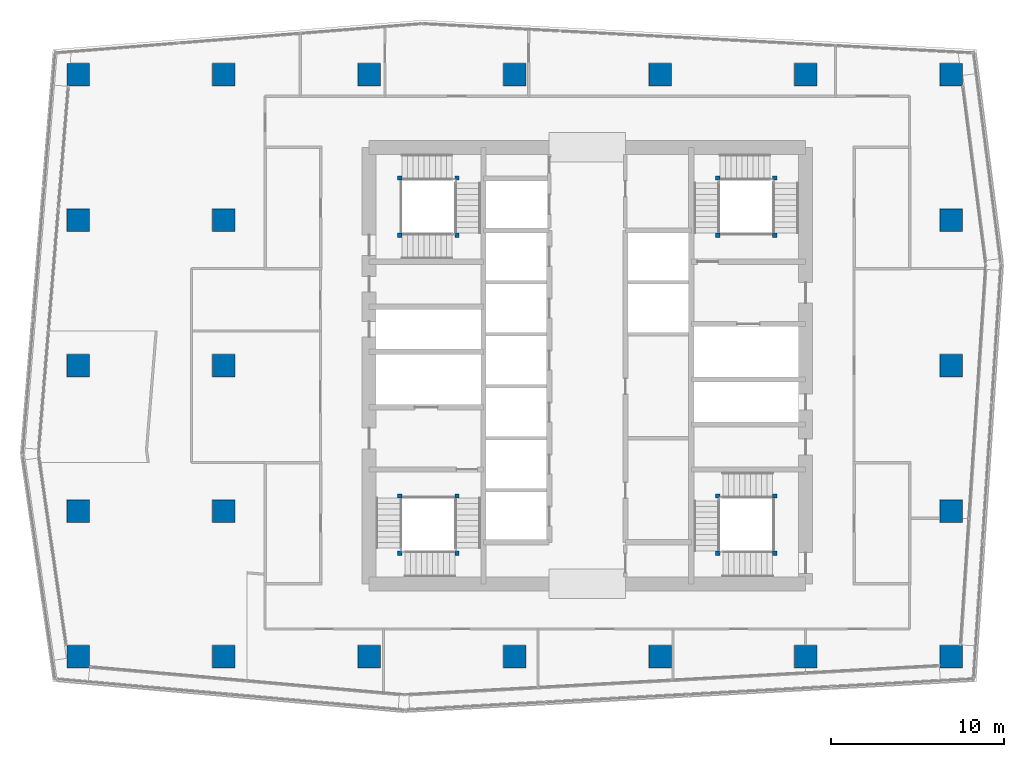
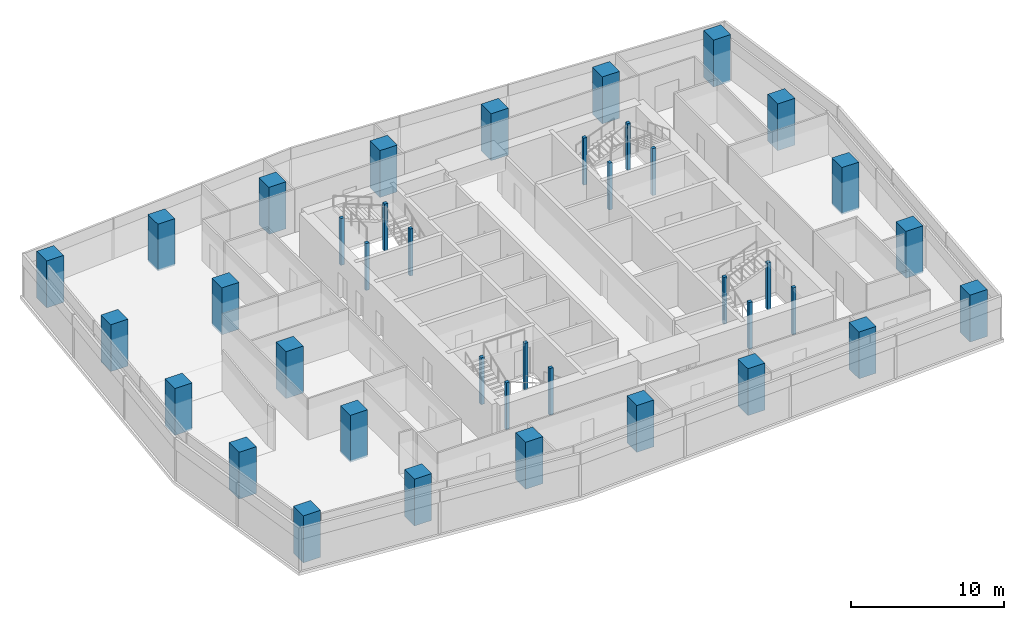
# One storey, part 1 of 30: 39 columns.
"""IFC4 building model written with IfcOpenShell, lengths in metres."""

from ifc_helpers import new_model, si_unit, direction, frame, origin, origin_2d, place, context, subcontext, project, spatial, rectangle, extrude, material, material_profile, profile_set, type_object, element, save


model = new_model("IFC4")

# Units and contexts
model_context = context("Model", 3, precision=1e-05, world=origin(), true_north=direction((0.0, 1.0)))
body_context = subcontext(model_context, "Body", "Model", "MODEL_VIEW")
ifc_project = project(units=[si_unit("LENGTHUNIT", "METRE"), si_unit("AREAUNIT", "SQUARE_METRE"), si_unit("VOLUMEUNIT", "CUBIC_METRE"), si_unit("PLANEANGLEUNIT", "RADIAN"), si_unit("MASSUNIT", "GRAM", prefix="KILO")], contexts=[model_context])

# Site, building, storey
site_placement = place(None, origin())
site = spatial("IfcSite", under=ifc_project, at=site_placement, CompositionType="ELEMENT")
building_placement = place(site_placement, origin())
building = spatial("IfcBuilding", under=site, at=building_placement, Name="Rekha Terrace Tower", CompositionType="ELEMENT")
storey_placement = place(building_placement, frame((0.0, 0.0, 287.60009765625)))
storey = spatial("IfcBuildingStorey", under=building, at=storey_placement, Name="L73", CompositionType="ELEMENT", Elevation=287.60009765625)

# Columns
ifc_material_1 = material(Name="Concrete M70", Category="concrete")
ifc_material_profile_1 = material_profile(ifc_material_1, rectangle(XDim=1.300048828125, YDim=1.300048828125, at=origin_2d()), Name="RC 1300x1300")
ifc_profile_set_1 = profile_set([ifc_material_profile_1], Name="Concrete M70")
column_type_1 = type_object("IfcColumnType", Name="C5C 1300x1300 column", PredefinedType="COLUMN", material=ifc_profile_set_1)
for number, where, z_axis, x_axis, name in (
    (1, (8.39990234375, 16.800048828125, 0.0), (0.0, 0.0, 1.0), (1.0, 0.0, 0.0), "Column C5C 2/C L73"),
    (2, (8.39990234375, 25.199951171875, 0.0), (0.0, 0.0, 1.0), (1.0, 0.0, 0.0), "Column C5C 2/D L73"),
    (3, (8.39990234375, 33.60009765625, 0.0), (0.0, 0.0, 1.0), (1.0, 0.0, 0.0), "Column C5C 2/E L73"),
    (4, (8.39990234375, 42.0, 0.0), (0.0, 0.0, 1.0), (1.0, 0.0, 0.0), "Column C5C 2/F L73"),
    (5, (8.39990234375, 50.39990234375, 0.0), (0.0, 0.0, 1.0), (1.0, 0.0, 0.0), "Column C5C 2/G L73"),
    (6, (16.800048828125, 16.800048828125, 0.0), (0.0, 0.0, 1.0), (1.0, 0.0, 0.0), "Column C5C 3/C L73"),
    (7, (16.800048828125, 25.199951171875, 0.0), (0.0, 0.0, 1.0), (1.0, 0.0, 0.0), "Column C5C 3/D L73"),
    (8, (16.800048828125, 33.60009765625, 0.0), (0.0, 0.0, 1.0), (1.0, 0.0, 0.0), "Column C5C 3/E L73"),
    (9, (16.800048828125, 42.0, 0.0), (0.0, 0.0, 1.0), (1.0, 0.0, 0.0), "Column C5C 3/F L73"),
    (10, (16.800048828125, 50.39990234375, 0.0), (0.0, 0.0, 1.0), (1.0, 0.0, 0.0), "Column C5C 3/G L73"),
    (11, (25.199951171875, 16.800048828125, 0.0), (0.0, 0.0, 1.0), (1.0, 0.0, 0.0), "Column C5C 4/C L73"),
    (12, (25.199951171875, 50.39990234375, 0.0), (0.0, 0.0, 1.0), (1.0, 0.0, 0.0), "Column C5C 4/G L73"),
    (13, (33.60009765625, 16.800048828125, 0.0), (0.0, 0.0, 1.0), (1.0, 0.0, 0.0), "Column C5C 5/C L73"),
    (14, (33.60009765625, 50.39990234375, 0.0), (0.0, 0.0, 1.0), (1.0, 0.0, 0.0), "Column C5C 5/G L73"),
    (15, (42.0, 16.800048828125, 0.0), (0.0, 0.0, 1.0), (1.0, 0.0, 0.0), "Column C5C 6/C L73"),
    (16, (42.0, 50.39990234375, 0.0), (0.0, 0.0, 1.0), (1.0, 0.0, 0.0), "Column C5C 6/G L73"),
    (17, (50.39990234375, 16.800048828125, 0.0), (0.0, 0.0, 1.0), (1.0, 0.0, 0.0), "Column C5C 7/C L73"),
    (18, (50.39990234375, 50.39990234375, 0.0), (0.0, 0.0, 1.0), (1.0, 0.0, 0.0), "Column C5C 7/G L73"),
    (19, (58.800048828125, 16.800048828125, 0.0), (0.0, 0.0, 1.0), (1.0, 0.0, 0.0), "Column C5C 8/C L73"),
    (20, (58.800048828125, 25.199951171875, 0.0), (0.0, 0.0, 1.0), (1.0, 0.0, 0.0), "Column C5C 8/D L73"),
    (21, (58.800048828125, 33.60009765625, 0.0), (0.0, 0.0, 1.0), (1.0, 0.0, 0.0), "Column C5C 8/E L73"),
    (22, (58.800048828125, 42.0, 0.0), (0.0, 0.0, 1.0), (1.0, 0.0, 0.0), "Column C5C 8/F L73"),
    (23, (58.800048828125, 50.39990234375, 0.0), (0.0, 0.0, 1.0), (1.0, 0.0, 0.0), "Column C5C 8/G L73"),
):
    element("IfcColumn", number, at=place(storey_placement, frame(where, z_axis=z_axis, x_axis=x_axis)), inside=storey, type_object=column_type_1, Name=name, PredefinedType="COLUMN", context=body_context, shape_type="SweptSolid", body=[
        extrude(rectangle(XDim=1.300048828125, YDim=1.300048828125, at=origin_2d()), origin(), (0.0, 0.0, 1.0), 3.75),
    ])
ifc_material_2 = material(Name="Concrete M60", Category="concrete")
ifc_material_profile_2 = material_profile(ifc_material_2, rectangle(XDim=0.25, YDim=0.25, at=origin_2d()), Name="RC 250x250")
ifc_profile_set_2 = profile_set([ifc_material_profile_2], Name="Concrete M60")
column_type_2 = type_object("IfcColumnType", Name="NP1 250x250 stair newel post", PredefinedType="COLUMN", material=ifc_profile_set_2)
for number, where, z_axis, x_axis, name in (
    (24, (30.27490234375, 26.074951171875, 0.0), (0.0, 0.0, 1.0), (1.0, 0.0, 0.0), "Stair newel post NP1"),
    (25, (30.27490234375, 22.77490234375, 0.0), (0.0, 0.0, 1.0), (1.0, 0.0, 0.0), "Stair newel post NP1"),
    (26, (26.97509765625, 22.77490234375, 0.0), (0.0, 0.0, 1.0), (1.0, 0.0, 0.0), "Stair newel post NP1"),
    (27, (26.97509765625, 26.074951171875, 0.0), (0.0, 0.0, 1.0), (1.0, 0.0, 0.0), "Stair newel post NP1"),
    (28, (45.324951171875, 41.125, 0.0), (0.0, 0.0, 1.0), (1.0, 0.0, 0.0), "Stair newel post NP1"),
    (29, (45.324951171875, 44.425048828125, 0.0), (0.0, 0.0, 1.0), (1.0, 0.0, 0.0), "Stair newel post NP1"),
    (30, (48.625, 44.425048828125, 0.0), (0.0, 0.0, 1.0), (1.0, 0.0, 0.0), "Stair newel post NP1"),
    (31, (48.625, 41.125, 0.0), (0.0, 0.0, 1.0), (1.0, 0.0, 0.0), "Stair newel post NP1"),
    (32, (48.625, 22.77490234375, 0.0), (0.0, 0.0, 1.0), (1.0, 0.0, 0.0), "Stair newel post NP1"),
    (33, (45.324951171875, 22.77490234375, 0.0), (0.0, 0.0, 1.0), (1.0, 0.0, 0.0), "Stair newel post NP1"),
    (34, (45.324951171875, 26.074951171875, 0.0), (0.0, 0.0, 1.0), (1.0, 0.0, 0.0), "Stair newel post NP1"),
    (35, (48.625, 26.074951171875, 0.0), (0.0, 0.0, 1.0), (1.0, 0.0, 0.0), "Stair newel post NP1"),
    (36, (26.97509765625, 41.125, 0.0), (0.0, 0.0, 1.0), (1.0, 0.0, 0.0), "Stair newel post NP1"),
    (37, (30.27490234375, 41.125, 0.0), (0.0, 0.0, 1.0), (1.0, 0.0, 0.0), "Stair newel post NP1"),
    (38, (30.27490234375, 44.425048828125, 0.0), (0.0, 0.0, 1.0), (1.0, 0.0, 0.0), "Stair newel post NP1"),
    (39, (26.97509765625, 44.425048828125, 0.0), (0.0, 0.0, 1.0), (1.0, 0.0, 0.0), "Stair newel post NP1"),
):
    element("IfcColumn", number, at=place(storey_placement, frame(where, z_axis=z_axis, x_axis=x_axis)), inside=storey, type_object=column_type_2, Name=name, PredefinedType="COLUMN", context=body_context, shape_type="SweptSolid", body=[
        extrude(rectangle(XDim=0.25, YDim=0.25, at=origin_2d()), origin(), (0.0, 0.0, 1.0), 3.75),
    ])

save(model, "model.ifc")
